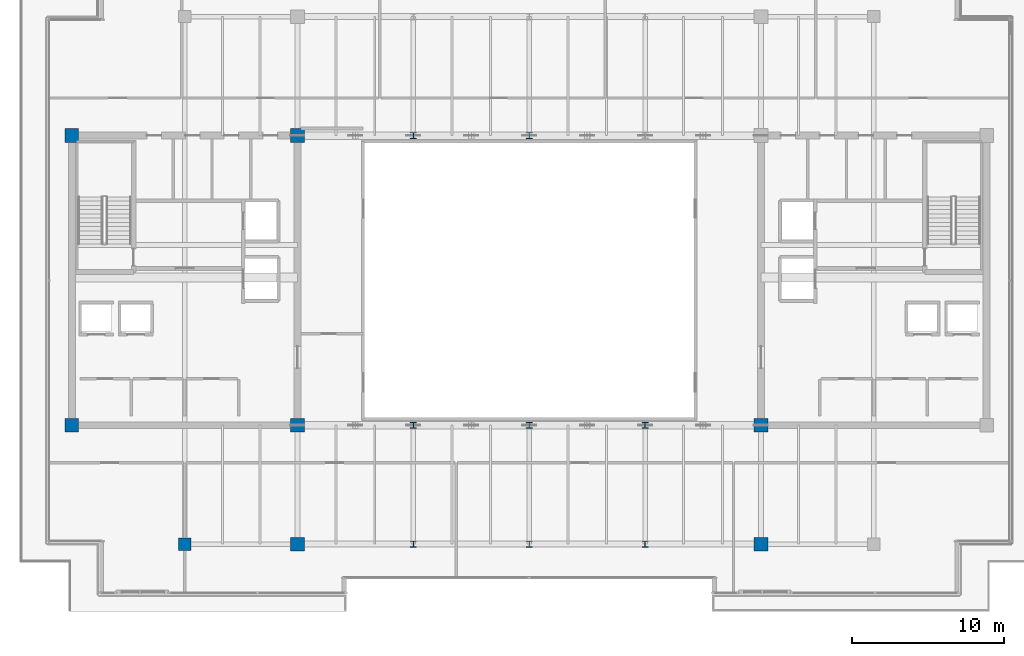
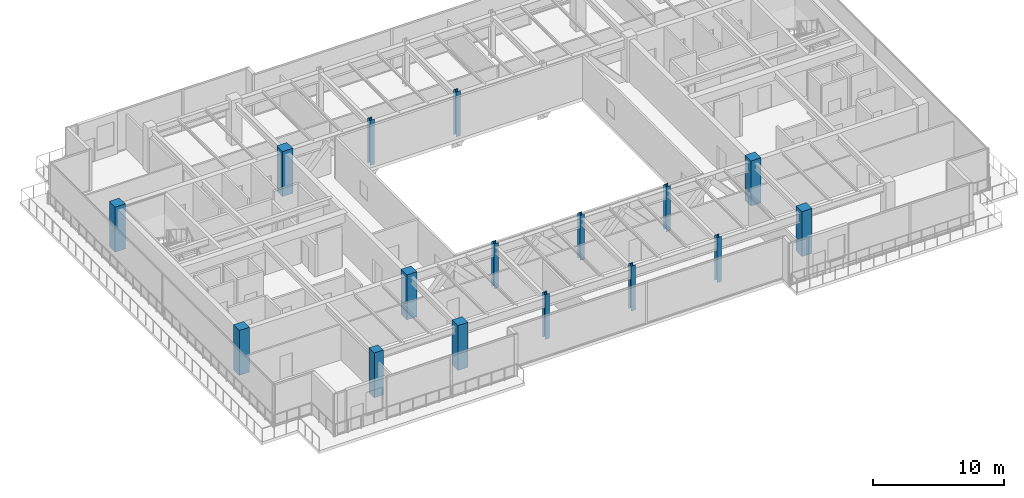
# One storey, part 1 of 34: 16 columns.
"""IFC4 building model written with IfcOpenShell, lengths in metres."""

from ifc_helpers import new_model, si_unit, direction, frame, origin, origin_2d, place, context, subcontext, project, spatial, rectangle, i_section, extrude, source, transform, mapped, material, material_profile, profile_set, type_object, type_shapes, element, save


model = new_model("IFC4")

# Units and contexts
model_context = context("Model", 3, precision=1e-05, world=origin(), true_north=direction((0.0, 1.0)))
body_context = subcontext(model_context, "Body", "Model", "MODEL_VIEW")
ifc_project = project(units=[si_unit("LENGTHUNIT", "METRE"), si_unit("AREAUNIT", "SQUARE_METRE"), si_unit("VOLUMEUNIT", "CUBIC_METRE"), si_unit("PLANEANGLEUNIT", "RADIAN"), si_unit("MASSUNIT", "GRAM", prefix="KILO")], contexts=[model_context])

# Site, building, storey
site_placement = place(None, origin())
site = spatial("IfcSite", under=ifc_project, at=site_placement, CompositionType="ELEMENT")
building_placement = place(site_placement, origin())
building = spatial("IfcBuilding", under=site, at=building_placement, Name="Haelvirn Gate Laboratories", CompositionType="ELEMENT")
storey_placement = place(building_placement, frame((0.0, 0.0, 297.60009765625)))
storey = spatial("IfcBuildingStorey", under=building, at=storey_placement, Name="L71", CompositionType="ELEMENT", Elevation=297.60009765625)

# Columns
ifc_material_1 = material(Name="Concrete C50/60", Category="concrete")
ifc_material_profile_1 = material_profile(ifc_material_1, rectangle(XDim=0.800048828125, YDim=0.800048828125, at=origin_2d()), Name="RC-800x800")
ifc_profile_set_1 = profile_set([ifc_material_profile_1], Name="Concrete C50/60")
column_type_1 = type_object("IfcColumnType", Name="COL-RC-800", PredefinedType="COLUMN", material=ifc_profile_set_1)
shared_shape_1 = source(origin(), body_context, "Body", "SweptSolid", [
    extrude(rectangle(XDim=0.800048828125, YDim=0.800048828125, at=origin_2d()), origin(), (0.0, 0.0, 1.0), 4.199951171875),
])
type_shapes(column_type_1, [shared_shape_1])
column_placement = place(storey_placement, frame((14.800048828125, 7.0, 0.0), z_axis=(0.0, 0.0, 1.0), x_axis=(1.0, 0.0, 0.0)))
element("IfcColumn", 1, at=column_placement, inside=storey, type_object=column_type_1, Name="L71 Column 3B", PredefinedType="COLUMN", context=body_context, shape_type="MappedRepresentation", body=[
    mapped(shared_shape_1, transform((0.0, 0.0, 0.0), scale=1.0)),
])
ifc_material_profile_2 = material_profile(ifc_material_1, rectangle(XDim=0.89990234375, YDim=0.89990234375, at=origin_2d()), Name="RC-900x900")
ifc_profile_set_2 = profile_set([ifc_material_profile_2], Name="Concrete C50/60")
column_type_2 = type_object("IfcColumnType", Name="COL-RC-900", PredefinedType="COLUMN", material=ifc_profile_set_2)
shared_shape_2 = source(origin(), body_context, "Body", "SweptSolid", [
    extrude(rectangle(XDim=0.89990234375, YDim=0.89990234375, at=origin_2d()), origin(), (0.0, 0.0, 1.0), 4.199951171875),
])
type_shapes(column_type_2, [shared_shape_2])
for number, where, z_axis, x_axis, name in (
    (2, (22.199951171875, 7.0, 0.0), (0.0, 0.0, 1.0), (1.0, 0.0, 0.0), "L71 Column 4B"),
    (3, (7.39990234375, 14.800048828125, 0.0), (0.0, 0.0, 1.0), (1.0, 0.0, 0.0), "L71 Column 2C"),
    (4, (22.199951171875, 14.800048828125, 0.0), (0.0, 0.0, 1.0), (1.0, 0.0, 0.0), "L71 Column 4C"),
    (5, (7.39990234375, 33.800048828125, 0.0), (0.0, 0.0, 1.0), (1.0, 0.0, 0.0), "L71 Column 2F"),
    (6, (22.199951171875, 33.800048828125, 0.0), (0.0, 0.0, 1.0), (1.0, 0.0, 0.0), "L71 Column 4F"),
    (7, (52.60009765625, 7.0, 0.0), (0.0, 0.0, 1.0), (1.0, 0.0, 0.0), "L71 Column 8B"),
    (8, (52.60009765625, 14.800048828125, 0.0), (0.0, 0.0, 1.0), (1.0, 0.0, 0.0), "L71 Column 8C"),
):
    element("IfcColumn", number, at=place(storey_placement, frame(where, z_axis=z_axis, x_axis=x_axis)), inside=storey, type_object=column_type_2, Name=name, PredefinedType="COLUMN", context=body_context, shape_type="MappedRepresentation", body=[
        mapped(shared_shape_2, transform((0.0, 0.0, 0.0), scale=1.0)),
    ])
ifc_material_2 = material(Name="Steel SM355", Category="steel")
ifc_material_profile_3 = material_profile(ifc_material_2, i_section(OverallWidth=0.39990234375, OverallDepth=0.39990234375, WebThickness=0.02099609375, FlangeThickness=0.02099609375, at=origin_2d()), Name="H-400x400x21x21")
ifc_profile_set_3 = profile_set([ifc_material_profile_3], Name="Steel SM355")
column_type_3 = type_object("IfcColumnType", Name="COL-H-400", PredefinedType="COLUMN", material=ifc_profile_set_3)
shared_shape_3 = source(origin(), body_context, "Body", "SweptSolid", [
    extrude(i_section(OverallWidth=0.39990234375, OverallDepth=0.39990234375, WebThickness=0.02099609375, FlangeThickness=0.02099609375, at=origin_2d()), origin(), (0.0, 0.0, 1.0), 4.199951171875),
])
type_shapes(column_type_3, [shared_shape_3])
for number, where, z_axis, x_axis, name in (
    (9, (29.800048828125, 7.0, 0.0), (0.0, 0.0, 1.0), (1.0, 0.0, 0.0), "L71 Column 5B"),
    (10, (29.800048828125, 14.800048828125, 0.0), (0.0, 0.0, 1.0), (1.0, 0.0, 0.0), "L71 Column 5C"),
    (11, (29.800048828125, 33.800048828125, 0.0), (0.0, 0.0, 1.0), (1.0, 0.0, 0.0), "L71 Column 5F"),
    (12, (37.39990234375, 7.0, 0.0), (0.0, 0.0, 1.0), (1.0, 0.0, 0.0), "L71 Column 6B"),
    (13, (37.39990234375, 14.800048828125, 0.0), (0.0, 0.0, 1.0), (1.0, 0.0, 0.0), "L71 Column 6C"),
    (14, (37.39990234375, 33.800048828125, 0.0), (0.0, 0.0, 1.0), (1.0, 0.0, 0.0), "L71 Column 6F"),
    (15, (45.0, 7.0, 0.0), (0.0, 0.0, 1.0), (1.0, 0.0, 0.0), "L71 Column 7B"),
    (16, (45.0, 14.800048828125, 0.0), (0.0, 0.0, 1.0), (1.0, 0.0, 0.0), "L71 Column 7C"),
):
    element("IfcColumn", number, at=place(storey_placement, frame(where, z_axis=z_axis, x_axis=x_axis)), inside=storey, type_object=column_type_3, Name=name, PredefinedType="COLUMN", context=body_context, shape_type="MappedRepresentation", body=[
        mapped(shared_shape_3, transform((0.0, 0.0, 0.0), scale=1.0)),
    ])

save(model, "model.ifc")
